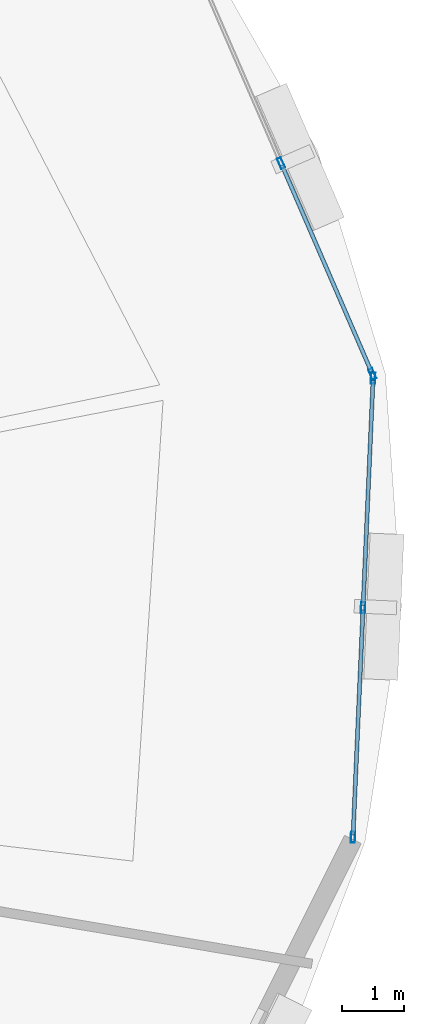
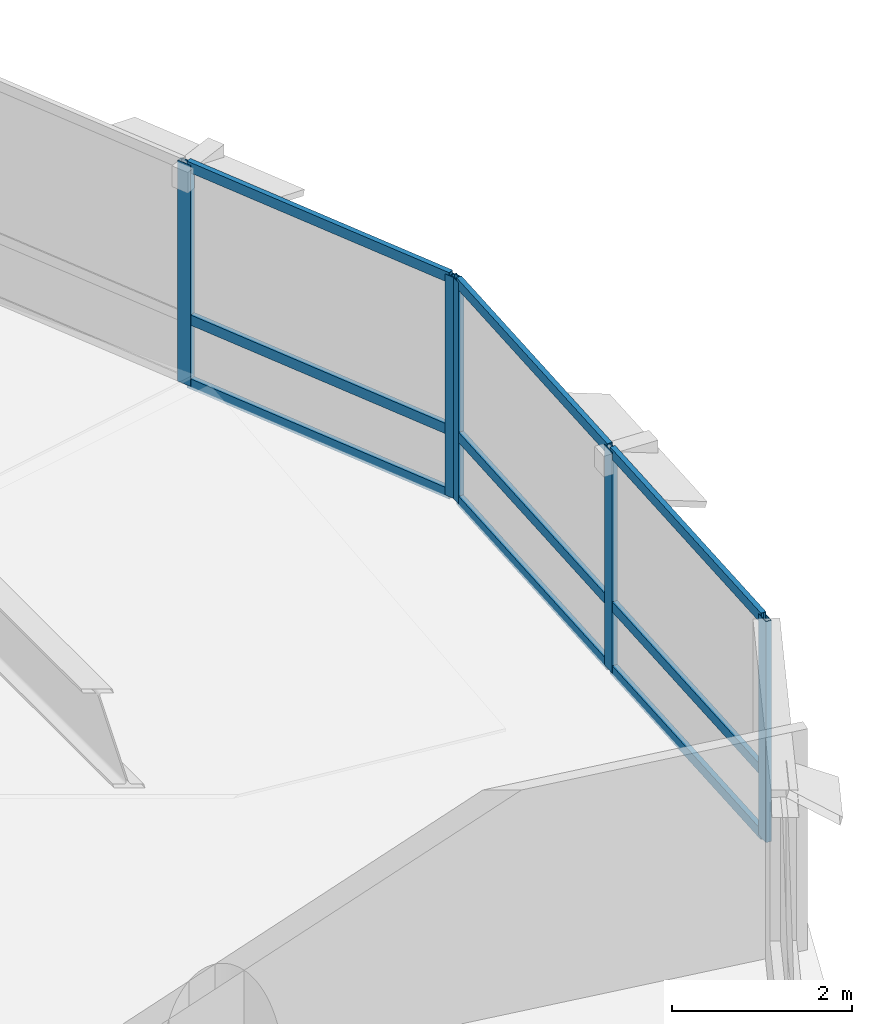
# One storey, part 8 of 17: 14 members, 2 elements without a shape of their own.
"""IFC4 building model written with IfcOpenShell, lengths in metres."""

from ifc_helpers import new_model, si_unit, direction, frame, origin, origin_2d, place, context, subcontext, project, spatial, hollow_rectangle, extrude, material, layer, layer_set, material_profile, profile_set, type_object, element, aggregate, save


model = new_model("IFC4")

# Units and contexts
model_context = context("Model", 3, precision=1e-05, world=origin(), true_north=direction((0.0, 1.0)))
body_context = subcontext(model_context, "Body", "Model", "MODEL_VIEW")
ifc_project = project(units=[si_unit("LENGTHUNIT", "METRE"), si_unit("AREAUNIT", "SQUARE_METRE"), si_unit("VOLUMEUNIT", "CUBIC_METRE"), si_unit("PLANEANGLEUNIT", "RADIAN"), si_unit("MASSUNIT", "GRAM", prefix="KILO"), si_unit("THERMODYNAMICTEMPERATUREUNIT", "KELVIN"), si_unit("POWERUNIT", "WATT")], contexts=[model_context])

# Site, building, storey
site_placement = place(None, origin())
site = spatial("IfcSite", under=ifc_project, at=site_placement, CompositionType="ELEMENT")
building_placement = place(site_placement, origin())
building = spatial("IfcBuilding", under=site, at=building_placement, Name="Ocrelia Relay Tower", CompositionType="ELEMENT")
storey_placement = place(building_placement, frame((0.0, 0.0, 76.199951171875)))
storey = spatial("IfcBuildingStorey", under=building, at=storey_placement, Name="L17", CompositionType="ELEMENT", Elevation=76.199951171875)

# Curtain wall, members
ifc_material_1 = material(Name="Aluminium and solar-control low-E glass", Category="aluminium")
ifc_layer = layer(ifc_material_1, 0.179931640625, Name="Aluminium and solar-control low-E glass")
ifc_layer_set = layer_set([ifc_layer], Name="Aluminium and solar-control low-E glass")
curtain_wall_type = type_object("IfcCurtainWallType", Name="CW-SYS-Z1-DATA", PredefinedType="NOTDEFINED", material=ifc_layer_set)
curtain_wall_1_placement = place(storey_placement, origin())
curtain_wall_1 = element("IfcCurtainWall", 1, at=curtain_wall_1_placement, inside=storey, type_object=curtain_wall_type, Name="L17 Elliptical Tower Curtain Wall Bay 01", PredefinedType="NOTDEFINED")
ifc_material_2 = material(Name="Anodised bronze aluminium", Category="aluminium")
ifc_material_profile_1 = material_profile(ifc_material_2, hollow_rectangle(XDim=0.070068359375, YDim=0.179931640625, WallThickness=0.006103515625, at=origin_2d()), Name="CW-MUL-180x70")
ifc_profile_set_1 = profile_set([ifc_material_profile_1], Name="Anodised bronze aluminium")
member_type_1 = type_object("IfcMemberType", Name="CW-SYS-Z1-DATA-MUL", PredefinedType="MULLION", material=ifc_profile_set_1)
member_1_placement = place(storey_placement, frame((61.324951171875, 31.074462890625, 0.0), z_axis=(0.0, 0.0, 1.0), x_axis=(-0.917682954818, -0.397313471249, 0.0)))
member_1 = element("IfcMember", 2, at=member_1_placement, type_object=member_type_1, Name="CW-Z1 mullion 1", PredefinedType="MULLION", context=body_context, shape_type="SweptSolid", body=[
    extrude(hollow_rectangle(XDim=0.070068359375, YDim=0.179931640625, WallThickness=0.006103515625, at=origin_2d()), origin(), (0.0, 0.0, 1.0), 3.0),
])
member_2_placement = place(storey_placement, frame((59.853759765625, 34.472412109375, 0.0), z_axis=(0.0, 0.0, 1.0), x_axis=(-0.917682954818, -0.397313471249, 0.0)))
member_2 = element("IfcMember", 3, at=member_2_placement, type_object=member_type_1, Name="CW-Z1 mullion 2", PredefinedType="MULLION", context=body_context, shape_type="SweptSolid", body=[
    extrude(hollow_rectangle(XDim=0.070068359375, YDim=0.179931640625, WallThickness=0.006103515625, at=origin_2d()), origin(), (0.0, 0.0, 1.0), 3.0),
])

curtain_wall_2_placement = place(storey_placement, origin())
curtain_wall_2 = element("IfcCurtainWall", 4, at=curtain_wall_2_placement, inside=storey, type_object=curtain_wall_type, Name="L17 Elliptical Tower Curtain Wall Bay 18", PredefinedType="NOTDEFINED")
member_3_placement = place(storey_placement, frame((61.012939453125, 23.60888671875, 0.0), z_axis=(0.0, 0.0, 1.0), x_axis=(-0.999040470312, 0.04379656013, 0.0)))
member_3 = element("IfcMember", 5, at=member_3_placement, type_object=member_type_1, Name="CW-Z1 mullion 1", PredefinedType="MULLION", context=body_context, shape_type="SweptSolid", body=[
    extrude(hollow_rectangle(XDim=0.070068359375, YDim=0.179931640625, WallThickness=0.006103515625, at=origin_2d()), origin(), (0.0, 0.0, 1.0), 3.0),
])
member_4_placement = place(storey_placement, frame((61.17529296875, 27.30810546875, 0.0), z_axis=(0.0, 0.0, 1.0), x_axis=(-0.999040470312, 0.04379656013, 0.0)))
member_4 = element("IfcMember", 6, at=member_4_placement, type_object=member_type_1, Name="CW-Z1 mullion 2", PredefinedType="MULLION", context=body_context, shape_type="SweptSolid", body=[
    extrude(hollow_rectangle(XDim=0.070068359375, YDim=0.179931640625, WallThickness=0.006103515625, at=origin_2d()), origin(), (0.0, 0.0, 1.0), 3.0),
])
member_5_placement = place(storey_placement, frame((61.33740234375, 31.00732421875, 0.0), z_axis=(0.0, 0.0, 1.0), x_axis=(-0.999040470312, 0.04379656013, 0.0)))
member_5 = element("IfcMember", 7, at=member_5_placement, type_object=member_type_1, Name="CW-Z1 mullion 3", PredefinedType="MULLION", context=body_context, shape_type="SweptSolid", body=[
    extrude(hollow_rectangle(XDim=0.070068359375, YDim=0.179931640625, WallThickness=0.006103515625, at=origin_2d()), origin(), (0.0, 0.0, 1.0), 3.0),
])

# Member
ifc_material_profile_2 = material_profile(ifc_material_2, hollow_rectangle(XDim=0.06494140625, YDim=0.139892578125, WallThickness=0.0048828125, at=origin_2d()), Name="CW-TRN-140x65")
ifc_profile_set_2 = profile_set([ifc_material_profile_2], Name="Anodised bronze aluminium")
member_type_2 = type_object("IfcMemberType", Name="CW-SYS-Z1-DATA-TRN", PredefinedType="USERDEFINED", material=ifc_profile_set_2)
member_6_placement = place(storey_placement, frame((61.31103515625, 31.1064453125, 0.032470703125), z_axis=(-0.397315085778, 0.917682255802, 0.0), x_axis=(-0.917682255802, -0.397315085778, 0.0)))
member_6 = element("IfcMember", 8, at=member_6_placement, type_object=member_type_2, Name="CW-Z1 transom 1.1", ObjectType="TRANSOM", PredefinedType="USERDEFINED", context=body_context, shape_type="SweptSolid", body=[
    extrude(hollow_rectangle(XDim=0.06494140625, YDim=0.139892578125, WallThickness=0.0048828125, at=origin_2d()), origin(), (0.0, 0.0, 1.0), 3.6328125),
])

member_7_placement = place(storey_placement, frame((61.31103515625, 31.1064453125, 0.900146484375), z_axis=(-0.397315085778, 0.917682255802, 0.0), x_axis=(-0.917682255802, -0.397315085778, 0.0)))
member_7 = element("IfcMember", 9, at=member_7_placement, type_object=member_type_2, Name="CW-Z1 transom 1.2", ObjectType="TRANSOM", PredefinedType="USERDEFINED", context=body_context, shape_type="SweptSolid", body=[
    extrude(hollow_rectangle(XDim=0.06494140625, YDim=0.139892578125, WallThickness=0.0048828125, at=origin_2d()), origin(), (0.0, 0.0, 1.0), 3.6328125),
])

member_8_placement = place(storey_placement, frame((61.31103515625, 31.1064453125, 2.967529296875), z_axis=(-0.397315085778, 0.917682255802, 0.0), x_axis=(-0.917682255802, -0.397315085778, 0.0)))
member_8 = element("IfcMember", 10, at=member_8_placement, type_object=member_type_2, Name="CW-Z1 transom 1.3", ObjectType="TRANSOM", PredefinedType="USERDEFINED", context=body_context, shape_type="SweptSolid", body=[
    extrude(hollow_rectangle(XDim=0.06494140625, YDim=0.139892578125, WallThickness=0.0048828125, at=origin_2d()), origin(), (0.0, 0.0, 1.0), 3.6328125),
])

aggregate(curtain_wall_1, [member_1, member_2, member_6, member_7, member_8])

member_9_placement = place(storey_placement, frame((61.0146484375, 23.64404296875, 0.032470703125), z_axis=(0.043752210644, 0.999042413546, 0.0), x_axis=(-0.999042413546, 0.043752210644, 0.0)))
member_9 = element("IfcMember", 11, at=member_9_placement, type_object=member_type_2, Name="CW-Z1 transom 1.1", ObjectType="TRANSOM", PredefinedType="USERDEFINED", context=body_context, shape_type="SweptSolid", body=[
    extrude(hollow_rectangle(XDim=0.06494140625, YDim=0.139892578125, WallThickness=0.0048828125, at=origin_2d()), origin(), (0.0, 0.0, 1.0), 3.632568359375),
])

member_10_placement = place(storey_placement, frame((61.0146484375, 23.64404296875, 0.900146484375), z_axis=(0.043752210644, 0.999042413546, 0.0), x_axis=(-0.999042413546, 0.043752210644, 0.0)))
member_10 = element("IfcMember", 12, at=member_10_placement, type_object=member_type_2, Name="CW-Z1 transom 1.2", ObjectType="TRANSOM", PredefinedType="USERDEFINED", context=body_context, shape_type="SweptSolid", body=[
    extrude(hollow_rectangle(XDim=0.06494140625, YDim=0.139892578125, WallThickness=0.0048828125, at=origin_2d()), origin(), (0.0, 0.0, 1.0), 3.632568359375),
])

member_11_placement = place(storey_placement, frame((61.0146484375, 23.64404296875, 2.967529296875), z_axis=(0.043752210644, 0.999042413546, 0.0), x_axis=(-0.999042413546, 0.043752210644, 0.0)))
member_11 = element("IfcMember", 13, at=member_11_placement, type_object=member_type_2, Name="CW-Z1 transom 1.3", ObjectType="TRANSOM", PredefinedType="USERDEFINED", context=body_context, shape_type="SweptSolid", body=[
    extrude(hollow_rectangle(XDim=0.06494140625, YDim=0.139892578125, WallThickness=0.0048828125, at=origin_2d()), origin(), (0.0, 0.0, 1.0), 3.632568359375),
])

member_12_placement = place(storey_placement, frame((61.1767578125, 27.343017578125, 0.032470703125), z_axis=(0.043816347433, 0.999039602667, 0.0), x_axis=(-0.999039602667, 0.043816347433, 0.0)))
member_12 = element("IfcMember", 14, at=member_12_placement, type_object=member_type_2, Name="CW-Z1 transom 2.1", ObjectType="TRANSOM", PredefinedType="USERDEFINED", context=body_context, shape_type="SweptSolid", body=[
    extrude(hollow_rectangle(XDim=0.06494140625, YDim=0.139892578125, WallThickness=0.0048828125, at=origin_2d()), origin(), (0.0, 0.0, 1.0), 3.6328125),
])

member_13_placement = place(storey_placement, frame((61.1767578125, 27.343017578125, 0.900146484375), z_axis=(0.043816347433, 0.999039602667, 0.0), x_axis=(-0.999039602667, 0.043816347433, 0.0)))
member_13 = element("IfcMember", 15, at=member_13_placement, type_object=member_type_2, Name="CW-Z1 transom 2.2", ObjectType="TRANSOM", PredefinedType="USERDEFINED", context=body_context, shape_type="SweptSolid", body=[
    extrude(hollow_rectangle(XDim=0.06494140625, YDim=0.139892578125, WallThickness=0.0048828125, at=origin_2d()), origin(), (0.0, 0.0, 1.0), 3.6328125),
])

member_14_placement = place(storey_placement, frame((61.1767578125, 27.343017578125, 2.967529296875), z_axis=(0.043816347433, 0.999039602667, 0.0), x_axis=(-0.999039602667, 0.043816347433, 0.0)))
member_14 = element("IfcMember", 16, at=member_14_placement, type_object=member_type_2, Name="CW-Z1 transom 2.3", ObjectType="TRANSOM", PredefinedType="USERDEFINED", context=body_context, shape_type="SweptSolid", body=[
    extrude(hollow_rectangle(XDim=0.06494140625, YDim=0.139892578125, WallThickness=0.0048828125, at=origin_2d()), origin(), (0.0, 0.0, 1.0), 3.6328125),
])

aggregate(curtain_wall_2, [member_3, member_4, member_5, member_9, member_10, member_11, member_12, member_13, member_14])

save(model, "model.ifc")
